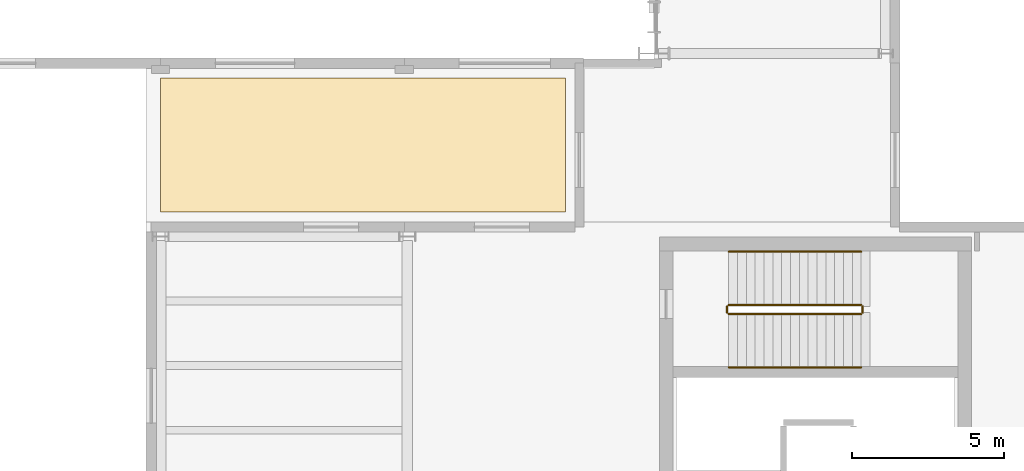
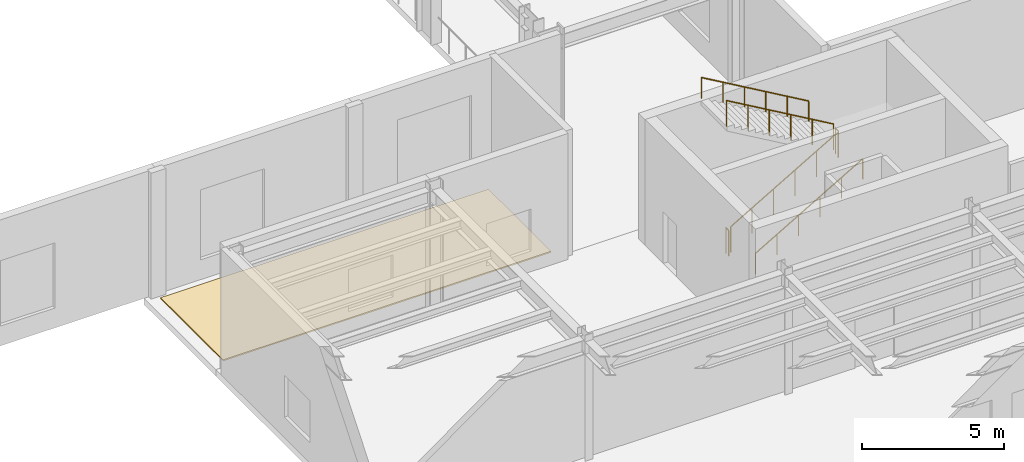
# One storey, part 86 of 98: 6 railings, 1 covering.
"""IFC4 building model written with IfcOpenShell, lengths in metres."""

from ifc_helpers import new_model, si_unit, direction, frame, origin, origin_2d, place, context, subcontext, project, spatial, polyline, circle, outline, extrude, material, layer, layer_set, type_object, element, save


model = new_model("IFC4")

# Units and contexts
model_context = context("Model", 3, precision=1e-05, world=origin(), true_north=direction((0.0, 1.0)))
body_context = subcontext(model_context, "Body", "Model", "MODEL_VIEW")
ifc_project = project(units=[si_unit("LENGTHUNIT", "METRE"), si_unit("AREAUNIT", "SQUARE_METRE"), si_unit("VOLUMEUNIT", "CUBIC_METRE"), si_unit("PLANEANGLEUNIT", "RADIAN"), si_unit("MASSUNIT", "GRAM", prefix="KILO")], contexts=[model_context])

# Site, building, storey
site_placement = place(None, origin())
site = spatial("IfcSite", under=ifc_project, at=site_placement, CompositionType="ELEMENT")
building_placement = place(site_placement, origin())
building = spatial("IfcBuilding", under=site, at=building_placement, Name="Sollismere Congress Hotel", CompositionType="ELEMENT")
storey_placement = place(building_placement, frame((0.0, 0.0, 5.39990234375)))
storey = spatial("IfcBuildingStorey", under=building, at=storey_placement, Name="L01", CompositionType="ELEMENT", Elevation=5.39990234375)

# Covering
ifc_material_1 = material(Name="Standing-Seam Titanium-Zinc Roof Assembly")
ifc_layer = layer(ifc_material_1, 0.054931640625, Name="Standing-Seam Titanium-Zinc Roof Assembly")
ifc_layer_set = layer_set([ifc_layer], Name="Standing-Seam Titanium-Zinc Roof Assembly")
covering_type = type_object("IfcCoveringType", Name="CV-RFZNC", PredefinedType="ROOFING", material=ifc_layer_set)
covering_placement = place(storey_placement, origin())
element("IfcCovering", 1, at=covering_placement, inside=storey, type_object=covering_type, Name="COV-CV-RF-L1W", PredefinedType="ROOFING", context=body_context, shape_type="SweptSolid", body=[
    extrude(outline(polyline([(34.199951171875, 19.60009765625), (47.5, 19.60009765625), (47.5, 24.0), (34.199951171875, 24.0), (34.199951171875, 19.60009765625)])), origin(), (0.0, 0.0, 1.0), 0.05517578125),
])

# Railings
ifc_material_2 = material(Name="Steel ASTM A500 Grade C", Category="steel")
railing_type_1 = type_object("IfcRailingType", Name="RL-GRD112", PredefinedType="GUARDRAIL", material=ifc_material_2)
railing_1_placement = place(storey_placement, frame((52.85009765625, 16.25, 0.1689453125)))
element("IfcRailing", 2, at=railing_1_placement, inside=storey, type_object=railing_type_1, Name="RLG-RG-ST-06-L01-1", PredefinedType="GUARDRAIL", context=body_context, shape_type="SweptSolid", body=[
    extrude(circle(Radius=0.02392578125, at=origin_2d()), frame((0.0, 0.0, 1.09619140625), z_axis=(0.864311530196, 0.0, 0.502956835891), x_axis=(0.0, 1.0, 0.0)), (0.0, 0.0, 1.0), 5.03271484375),
    extrude(circle(Radius=0.02099609375, at=origin_2d()), origin(), (0.0, 0.0, 1.0), 1.072021484375),
    extrude(circle(Radius=0.02099609375, at=origin_2d()), frame((0.869873046875, 0.0, 0.50634765625)), (0.0, 0.0, 1.0), 1.072021484375),
    extrude(circle(Radius=0.02099609375, at=origin_2d()), frame((1.739990234375, 0.0, 1.012451171875)), (0.0, 0.0, 1.0), 1.072021484375),
    extrude(circle(Radius=0.02099609375, at=origin_2d()), frame((2.60986328125, 0.0, 1.518798828125)), (0.0, 0.0, 1.0), 1.072021484375),
    extrude(circle(Radius=0.02099609375, at=origin_2d()), frame((3.47998046875, 0.0, 2.02490234375)), (0.0, 0.0, 1.0), 1.072021484375),
    extrude(circle(Radius=0.02099609375, at=origin_2d()), frame((4.349853515625, 0.0, 2.53125)), (0.0, 0.0, 1.0), 1.072021484375),
])
railing_2_placement = place(storey_placement, frame((57.25, 16.300048828125, 2.7001953125)))
element("IfcRailing", 3, at=railing_2_placement, inside=storey, type_object=railing_type_1, Name="RLG-RG-ST-06-L01-2", PredefinedType="GUARDRAIL", context=body_context, shape_type="SweptSolid", body=[
    extrude(circle(Radius=0.02392578125, at=origin_2d()), frame((0.0, 0.0, 1.09619140625), z_axis=(0.0, 1.0, 0.0), x_axis=(-1.0, 0.0, 0.0)), (0.0, 0.0, 1.0), 0.199951171875),
    extrude(circle(Radius=0.02099609375, at=origin_2d()), origin(), (0.0, 0.0, 1.0), 1.072021484375),
    extrude(circle(Radius=0.02099609375, at=origin_2d()), frame((0.0, 0.199951171875, 0.0)), (0.0, 0.0, 1.0), 1.072021484375),
])
railing_3_placement = place(storey_placement, frame((57.199951171875, 16.550048828125, 2.868896484375)))
element("IfcRailing", 4, at=railing_3_placement, inside=storey, type_object=railing_type_1, Name="RLG-RG-ST-06-L01-3", PredefinedType="GUARDRAIL", context=body_context, shape_type="SweptSolid", body=[
    extrude(circle(Radius=0.02392578125, at=origin_2d()), frame((0.0, 0.0, 1.09619140625), z_axis=(-0.864311530196, 0.0, 0.502956835891), x_axis=(0.0, -1.0, 0.0)), (0.0, 0.0, 1.0), 5.03271484375),
    extrude(circle(Radius=0.02099609375, at=origin_2d()), origin(), (0.0, 0.0, 1.0), 1.072021484375),
    extrude(circle(Radius=0.02099609375, at=origin_2d()), frame((-0.869873046875, 0.0, 0.50634765625)), (0.0, 0.0, 1.0), 1.072021484375),
    extrude(circle(Radius=0.02099609375, at=origin_2d()), frame((-1.739990234375, 0.0, 1.012451171875)), (0.0, 0.0, 1.0), 1.072021484375),
    extrude(circle(Radius=0.02099609375, at=origin_2d()), frame((-2.60986328125, 0.0, 1.518798828125)), (0.0, 0.0, 1.0), 1.072021484375),
    extrude(circle(Radius=0.02099609375, at=origin_2d()), frame((-3.47998046875, 0.0, 2.02490234375)), (0.0, 0.0, 1.0), 1.072021484375),
    extrude(circle(Radius=0.02099609375, at=origin_2d()), frame((-4.349853515625, 0.0, 2.53125)), (0.0, 0.0, 1.0), 1.072021484375),
])
railing_4_placement = place(storey_placement, frame((52.800048828125, 16.300048828125, 0.0)))
element("IfcRailing", 5, at=railing_4_placement, inside=storey, type_object=railing_type_1, Name="RLG-RG-ST-06-L01-4", PredefinedType="GUARDRAIL", context=body_context, shape_type="SweptSolid", body=[
    extrude(circle(Radius=0.02392578125, at=origin_2d()), frame((0.0, 0.0, 1.09619140625), z_axis=(0.0, 1.0, 0.0), x_axis=(-1.0, 0.0, 0.0)), (0.0, 0.0, 1.0), 0.199951171875),
    extrude(circle(Radius=0.02099609375, at=origin_2d()), origin(), (0.0, 0.0, 1.0), 1.072021484375),
    extrude(circle(Radius=0.02099609375, at=origin_2d()), frame((0.0, 0.199951171875, 0.0)), (0.0, 0.0, 1.0), 1.072021484375),
])
ifc_material_3 = material(Name="Brushed Architectural Bronze")
railing_type_2 = type_object("IfcRailingType", Name="RL-HND90", PredefinedType="HANDRAIL", material=ifc_material_3)
railing_5_placement = place(storey_placement, frame((52.85009765625, 14.5, 0.3134765625)))
element("IfcRailing", 6, at=railing_5_placement, inside=storey, type_object=railing_type_2, Name="RLG-RH-ST-06-L01-1", PredefinedType="HANDRAIL", context=body_context, shape_type="SweptSolid", body=[
    extrude(circle(Radius=0.02392578125, at=origin_2d()), frame((0.0, 0.0, 0.8759765625), z_axis=(0.864311530196, 0.0, 0.502956835891), x_axis=(0.0, 1.0, 0.0)), (0.0, 0.0, 1.0), 5.03271484375),
    extrude(circle(Radius=0.02099609375, at=origin_2d()), origin(), (0.0, 0.0, 1.0), 0.851806640625),
    extrude(circle(Radius=0.02099609375, at=origin_2d()), frame((0.869873046875, 0.0, 0.50634765625)), (0.0, 0.0, 1.0), 0.851806640625),
    extrude(circle(Radius=0.02099609375, at=origin_2d()), frame((1.739990234375, 0.0, 1.012451171875)), (0.0, 0.0, 1.0), 0.851806640625),
    extrude(circle(Radius=0.02099609375, at=origin_2d()), frame((2.60986328125, 0.0, 1.518798828125)), (0.0, 0.0, 1.0), 0.851806640625),
    extrude(circle(Radius=0.02099609375, at=origin_2d()), frame((3.47998046875, 0.0, 2.02490234375)), (0.0, 0.0, 1.0), 0.851806640625),
    extrude(circle(Radius=0.02099609375, at=origin_2d()), frame((4.349853515625, 0.0, 2.53125)), (0.0, 0.0, 1.0), 0.851806640625),
])
railing_6_placement = place(storey_placement, frame((57.199951171875, 18.300048828125, 3.013671875)))
element("IfcRailing", 7, at=railing_6_placement, inside=storey, type_object=railing_type_2, Name="RLG-RH-ST-06-L01-2", PredefinedType="HANDRAIL", context=body_context, shape_type="SweptSolid", body=[
    extrude(circle(Radius=0.02392578125, at=origin_2d()), frame((0.0, 0.0, 0.8759765625), z_axis=(-0.864311530196, 0.0, 0.502956835891), x_axis=(0.0, -1.0, 0.0)), (0.0, 0.0, 1.0), 5.03271484375),
    extrude(circle(Radius=0.02099609375, at=origin_2d()), origin(), (0.0, 0.0, 1.0), 0.851806640625),
    extrude(circle(Radius=0.02099609375, at=origin_2d()), frame((-0.869873046875, 0.0, 0.50634765625)), (0.0, 0.0, 1.0), 0.851806640625),
    extrude(circle(Radius=0.02099609375, at=origin_2d()), frame((-1.739990234375, 0.0, 1.012451171875)), (0.0, 0.0, 1.0), 0.851806640625),
    extrude(circle(Radius=0.02099609375, at=origin_2d()), frame((-2.60986328125, 0.0, 1.518798828125)), (0.0, 0.0, 1.0), 0.851806640625),
    extrude(circle(Radius=0.02099609375, at=origin_2d()), frame((-3.47998046875, 0.0, 2.02490234375)), (0.0, 0.0, 1.0), 0.851806640625),
    extrude(circle(Radius=0.02099609375, at=origin_2d()), frame((-4.349853515625, 0.0, 2.53125)), (0.0, 0.0, 1.0), 0.851806640625),
])

save(model, "model.ifc")
